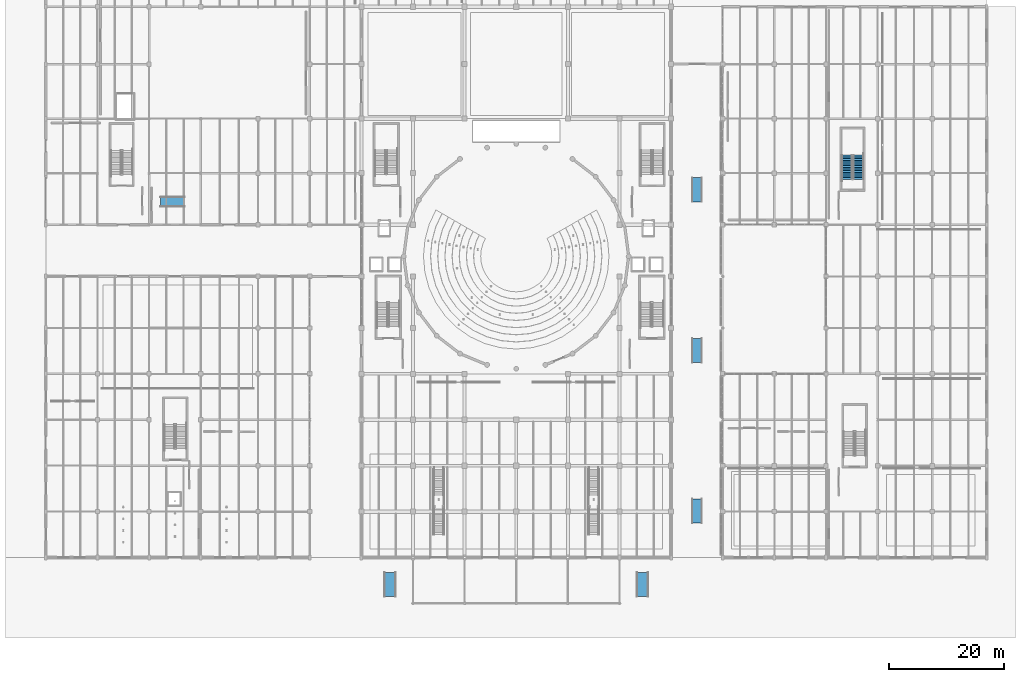
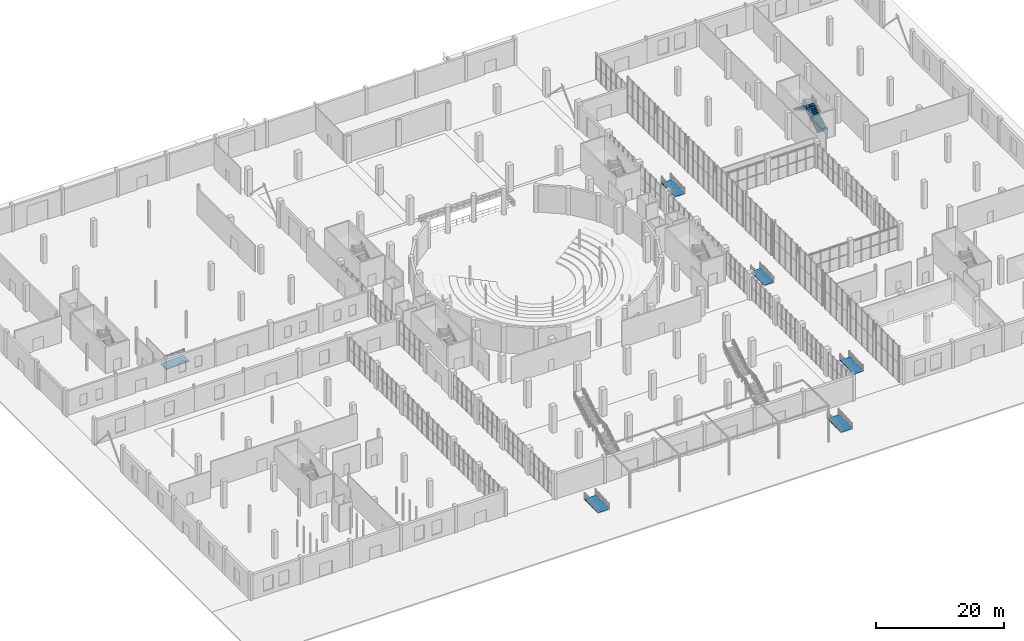
# One storey, part 91 of 103: 6 ramp flights, 2 stair flights, 7 elements without a shape of their own.
"""IFC4 building model written with IfcOpenShell, lengths in metres."""

from ifc_helpers import new_model, si_unit, direction, frame, origin, place, context, subcontext, project, spatial, polyline, outline, extrude, material, layer, layer_set, type_object, element, aggregate, save


model = new_model("IFC4")

# Units and contexts
model_context = context("Model", 3, precision=1e-05, world=origin(), true_north=direction((0.0, 1.0)))
body_context = subcontext(model_context, "Body", "Model", "MODEL_VIEW")
ifc_project = project(units=[si_unit("LENGTHUNIT", "METRE"), si_unit("AREAUNIT", "SQUARE_METRE"), si_unit("VOLUMEUNIT", "CUBIC_METRE"), si_unit("PLANEANGLEUNIT", "RADIAN"), si_unit("MASSUNIT", "GRAM", prefix="KILO")], contexts=[model_context])

# Site, building, storey
site_placement = place(None, origin())
site = spatial("IfcSite", under=ifc_project, at=site_placement, CompositionType="ELEMENT")
building_placement = place(site_placement, origin())
building = spatial("IfcBuilding", under=site, at=building_placement, Name="Marnock Terrace Opera House", CompositionType="ELEMENT")
storey_placement = place(building_placement, origin())
storey = spatial("IfcBuildingStorey", under=building, at=storey_placement, Name="L00", CompositionType="ELEMENT", Elevation=0.0)

# Stair, stair flights
ifc_material = material(Name="Concrete N40 (f'c = 40 MPa)", Category="concrete")
stair_type = type_object("IfcStairType", Name="ST-TYPE-2000", PredefinedType="HALF_TURN_STAIR", material=ifc_material)
stair_placement = place(storey_placement, origin())
stair = element("IfcStair", 1, at=stair_placement, inside=storey, type_object=stair_type, Name="L00 ST-08", PredefinedType="HALF_TURN_STAIR")
stair_flight_type = type_object("IfcStairFlightType", Name="FLT-TYPE-2000", PredefinedType="STRAIGHT", material=ifc_material)
stair_flight_1_placement = place(storey_placement, frame((141.6201171875, 73.919921875, 0.0), z_axis=(0.0, 0.0, 1.0), x_axis=(0.0, 1.0, 0.0)))
stair_flight_1 = element("IfcStairFlight", 2, at=stair_flight_1_placement, type_object=stair_flight_type, Name="ST-08 flight 1", NumberOfRisers=15, NumberOfTreads=14, PredefinedType="STRAIGHT", RiserHeight=0.18, TreadLength=0.3, context=body_context, shape_type="SweptSolid", body=[
    extrude(outline(polyline([(-0.00048828125, -0.06005859375), (-0.00048828125, 0.0), (0.0, 0.0), (0.0, 0.179931640625), (0.300048828125, 0.179931640625), (0.300048828125, 0.360107421875), (0.60009765625, 0.360107421875), (0.60009765625, 0.5400390625), (0.89990234375, 0.5400390625), (0.89990234375, 0.719970703125), (1.199951171875, 0.719970703125), (1.199951171875, 0.89990234375), (1.5, 0.89990234375), (1.5, 1.080078125), (1.800048828125, 1.080078125), (1.800048828125, 1.260009765625), (2.10009765625, 1.260009765625), (2.10009765625, 1.43994140625), (2.39990234375, 1.43994140625), (2.39990234375, 1.6201171875), (2.699951171875, 1.6201171875), (2.699951171875, 1.800048828125), (3.0, 1.800048828125), (3.0, 1.97998046875), (3.300048828125, 1.97998046875), (3.300048828125, 2.159912109375), (3.60009765625, 2.159912109375), (3.60009765625, 2.340087890625), (3.89990234375, 2.340087890625), (3.89990234375, 2.52001953125), (4.199951171875, 2.52001953125), (4.199951171875, 2.699951171875), (4.200439453125, 2.699951171875), (4.200439453125, 2.34521484375), (4.199951171875, 2.34521484375), (0.291259765625, -0.06005859375), (-0.00048828125, -0.06005859375)])), frame((0.0, 0.89990234375, 0.0), z_axis=(0.0, -1.0, 0.0), x_axis=(1.0, 0.0, 0.0)), (0.0, 0.0, 1.0), 1.800048828125),
])
stair_flight_2_placement = place(storey_placement, frame((139.6201171875, 78.1201171875, 2.699951171875), z_axis=(0.0, 0.0, 1.0), x_axis=(0.0, -1.0, 0.0)))
stair_flight_2 = element("IfcStairFlight", 3, at=stair_flight_2_placement, type_object=stair_flight_type, Name="ST-08 flight 2", NumberOfRisers=15, NumberOfTreads=14, PredefinedType="STRAIGHT", RiserHeight=0.18, TreadLength=0.3, context=body_context, shape_type="SweptSolid", body=[
    extrude(outline(polyline([(-0.00048828125, -0.06005859375), (-0.00048828125, 0.0), (0.0, 0.0), (0.0, 0.179931640625), (0.300048828125, 0.179931640625), (0.300048828125, 0.360107421875), (0.60009765625, 0.360107421875), (0.60009765625, 0.5400390625), (0.89990234375, 0.5400390625), (0.89990234375, 0.719970703125), (1.199951171875, 0.719970703125), (1.199951171875, 0.89990234375), (1.5, 0.89990234375), (1.5, 1.080078125), (1.800048828125, 1.080078125), (1.800048828125, 1.260009765625), (2.10009765625, 1.260009765625), (2.10009765625, 1.43994140625), (2.39990234375, 1.43994140625), (2.39990234375, 1.6201171875), (2.699951171875, 1.6201171875), (2.699951171875, 1.800048828125), (3.0, 1.800048828125), (3.0, 1.97998046875), (3.300048828125, 1.97998046875), (3.300048828125, 2.159912109375), (3.60009765625, 2.159912109375), (3.60009765625, 2.340087890625), (3.89990234375, 2.340087890625), (3.89990234375, 2.52001953125), (4.199951171875, 2.52001953125), (4.199951171875, 2.699951171875), (4.200439453125, 2.699951171875), (4.200439453125, 2.34521484375), (4.199951171875, 2.34521484375), (0.291259765625, -0.06005859375), (-0.00048828125, -0.06005859375)])), frame((0.0, 0.89990234375, 0.0), z_axis=(0.0, -1.0, 0.0), x_axis=(1.0, 0.0, 0.0)), (0.0, 0.0, 1.0), 1.800048828125),
])
aggregate(stair, [stair_flight_1, stair_flight_2])

# Ramp, ramp flight
ramp_type_1 = type_object("IfcRampType", Name="RMP-ACC-1800", PredefinedType="STRAIGHT_RUN_RAMP", material=ifc_material)
ramp_1_placement = place(storey_placement, origin())
ramp_1 = element("IfcRamp", 4, at=ramp_1_placement, inside=storey, type_object=ramp_type_1, Name="L00 1:14 accessible ramp RMP-PASS-01", PredefinedType="STRAIGHT_RUN_RAMP")
ifc_layer_1 = layer(ifc_material, 0.159912109375)
ifc_layer_set_1 = layer_set([ifc_layer_1], Name="Concrete N40 (f'c = 40 MPa)")
ramp_flight_type_1 = type_object("IfcRampFlightType", Name="RMPF-1800", PredefinedType="STRAIGHT", material=ifc_layer_set_1)
ramp_flight_1_placement = place(storey_placement, frame((113.5, 14.0, 0.0), z_axis=(0.0, 0.0, 1.0), x_axis=(0.0, 1.0, 0.0)))
ramp_flight_1 = element("IfcRampFlight", 5, at=ramp_flight_1_placement, type_object=ramp_flight_type_1, Name="RMP-PASS-01 accessible ramp flight", PredefinedType="STRAIGHT", context=body_context, shape_type="SweptSolid", body=[
    extrude(outline(polyline([(0.0, 0.0), (0.0, -0.159912109375), (4.199951171875, -0.02001953125), (4.199951171875, 0.139892578125), (0.0, 0.0)])), frame((0.0, 0.89990234375, 0.0), z_axis=(0.0, -1.0, 0.0), x_axis=(1.0, 0.0, 0.0)), (0.0, 0.0, 1.0), 1.800048828125),
])
aggregate(ramp_1, [ramp_flight_1])

ramp_2_placement = place(storey_placement, origin())
ramp_2 = element("IfcRamp", 6, at=ramp_2_placement, inside=storey, type_object=ramp_type_1, Name="L00 1:14 accessible ramp RMP-PASS-02", PredefinedType="STRAIGHT_RUN_RAMP")
ramp_flight_2_placement = place(storey_placement, frame((113.5, 42.0, 0.0), z_axis=(0.0, 0.0, 1.0), x_axis=(0.0, 1.0, 0.0)))
ramp_flight_2 = element("IfcRampFlight", 7, at=ramp_flight_2_placement, type_object=ramp_flight_type_1, Name="RMP-PASS-02 accessible ramp flight", PredefinedType="STRAIGHT", context=body_context, shape_type="SweptSolid", body=[
    extrude(outline(polyline([(0.0, 0.0), (0.0, -0.159912109375), (4.199951171875, -0.02001953125), (4.199951171875, 0.139892578125), (0.0, 0.0)])), frame((0.0, 0.89990234375, 0.0), z_axis=(0.0, -1.0, 0.0), x_axis=(1.0, 0.0, 0.0)), (0.0, 0.0, 1.0), 1.800048828125),
])
aggregate(ramp_2, [ramp_flight_2])

ramp_3_placement = place(storey_placement, origin())
ramp_3 = element("IfcRamp", 8, at=ramp_3_placement, inside=storey, type_object=ramp_type_1, Name="L00 1:14 accessible ramp RMP-PASS-03", PredefinedType="STRAIGHT_RUN_RAMP")
ramp_flight_3_placement = place(storey_placement, frame((113.5, 70.0, 0.0), z_axis=(0.0, 0.0, 1.0), x_axis=(0.0, 1.0, 0.0)))
ramp_flight_3 = element("IfcRampFlight", 9, at=ramp_flight_3_placement, type_object=ramp_flight_type_1, Name="RMP-PASS-03 accessible ramp flight", PredefinedType="STRAIGHT", context=body_context, shape_type="SweptSolid", body=[
    extrude(outline(polyline([(0.0, 0.0), (0.0, -0.159912109375), (4.199951171875, -0.02001953125), (4.199951171875, 0.139892578125), (0.0, 0.0)])), frame((0.0, 0.89990234375, 0.0), z_axis=(0.0, -1.0, 0.0), x_axis=(1.0, 0.0, 0.0)), (0.0, 0.0, 1.0), 1.800048828125),
])
aggregate(ramp_3, [ramp_flight_3])

ramp_4_placement = place(storey_placement, origin())
ramp_4 = element("IfcRamp", 10, at=ramp_4_placement, inside=storey, type_object=ramp_type_1, Name="L00 1:14 accessible ramp RMP-STAGE-01", PredefinedType="STRAIGHT_RUN_RAMP")
ramp_flight_4_placement = place(storey_placement, frame((20.0, 70.0, 0.0), z_axis=(0.0, 0.0, 1.0), x_axis=(1.0, 0.0, 0.0)))
ramp_flight_4 = element("IfcRampFlight", 11, at=ramp_flight_4_placement, type_object=ramp_flight_type_1, Name="RMP-STAGE-01 accessible ramp flight", PredefinedType="STRAIGHT", context=body_context, shape_type="SweptSolid", body=[
    extrude(outline(polyline([(0.0, 0.0), (0.0, -0.159912109375), (4.199951171875, -0.02001953125), (4.199951171875, 0.139892578125), (0.0, 0.0)])), frame((0.0, 0.89990234375, 0.0), z_axis=(0.0, -1.0, 0.0), x_axis=(1.0, 0.0, 0.0)), (0.0, 0.0, 1.0), 1.800048828125),
])
aggregate(ramp_4, [ramp_flight_4])

ramp_type_2 = type_object("IfcRampType", Name="RMP-ACC-2100", PredefinedType="STRAIGHT_RUN_RAMP", material=ifc_material)
ramp_5_placement = place(storey_placement, origin())
ramp_5 = element("IfcRamp", 12, at=ramp_5_placement, inside=storey, type_object=ramp_type_2, Name="L00 1:14 accessible ramp RMP-FORE-W", PredefinedType="STRAIGHT_RUN_RAMP")
ifc_layer_2 = layer(ifc_material, 0.159912109375)
ifc_layer_set_2 = layer_set([ifc_layer_2], Name="Concrete N40 (f'c = 40 MPa)")
ramp_flight_type_2 = type_object("IfcRampFlightType", Name="RMPF-2100", PredefinedType="STRAIGHT", material=ifc_layer_set_2)
ramp_flight_5_placement = place(storey_placement, frame((60.0, 1.199951171875, 0.0), z_axis=(0.0, 0.0, 1.0), x_axis=(0.0, 1.0, 0.0)))
ramp_flight_5 = element("IfcRampFlight", 13, at=ramp_flight_5_placement, type_object=ramp_flight_type_2, Name="RMP-FORE-W accessible ramp flight", PredefinedType="STRAIGHT", context=body_context, shape_type="SweptSolid", body=[
    extrude(outline(polyline([(0.0, 0.0), (0.0, -0.159912109375), (4.199951171875, -0.02001953125), (4.199951171875, 0.139892578125), (0.0, 0.0)])), frame((0.0, 1.050048828125, 0.0), z_axis=(0.0, -1.0, 0.0), x_axis=(1.0, 0.0, 0.0)), (0.0, 0.0, 1.0), 2.10009765625),
])
aggregate(ramp_5, [ramp_flight_5])

ramp_6_placement = place(storey_placement, origin())
ramp_6 = element("IfcRamp", 14, at=ramp_6_placement, inside=storey, type_object=ramp_type_2, Name="L00 1:14 accessible ramp RMP-FORE-E", PredefinedType="STRAIGHT_RUN_RAMP")
ramp_flight_6_placement = place(storey_placement, frame((104.0, 1.199951171875, 0.0), z_axis=(0.0, 0.0, 1.0), x_axis=(0.0, 1.0, 0.0)))
ramp_flight_6 = element("IfcRampFlight", 15, at=ramp_flight_6_placement, type_object=ramp_flight_type_2, Name="RMP-FORE-E accessible ramp flight", PredefinedType="STRAIGHT", context=body_context, shape_type="SweptSolid", body=[
    extrude(outline(polyline([(0.0, 0.0), (0.0, -0.159912109375), (4.199951171875, -0.02001953125), (4.199951171875, 0.139892578125), (0.0, 0.0)])), frame((0.0, 1.050048828125, 0.0), z_axis=(0.0, -1.0, 0.0), x_axis=(1.0, 0.0, 0.0)), (0.0, 0.0, 1.0), 2.10009765625),
])
aggregate(ramp_6, [ramp_flight_6])

save(model, "model.ifc")
